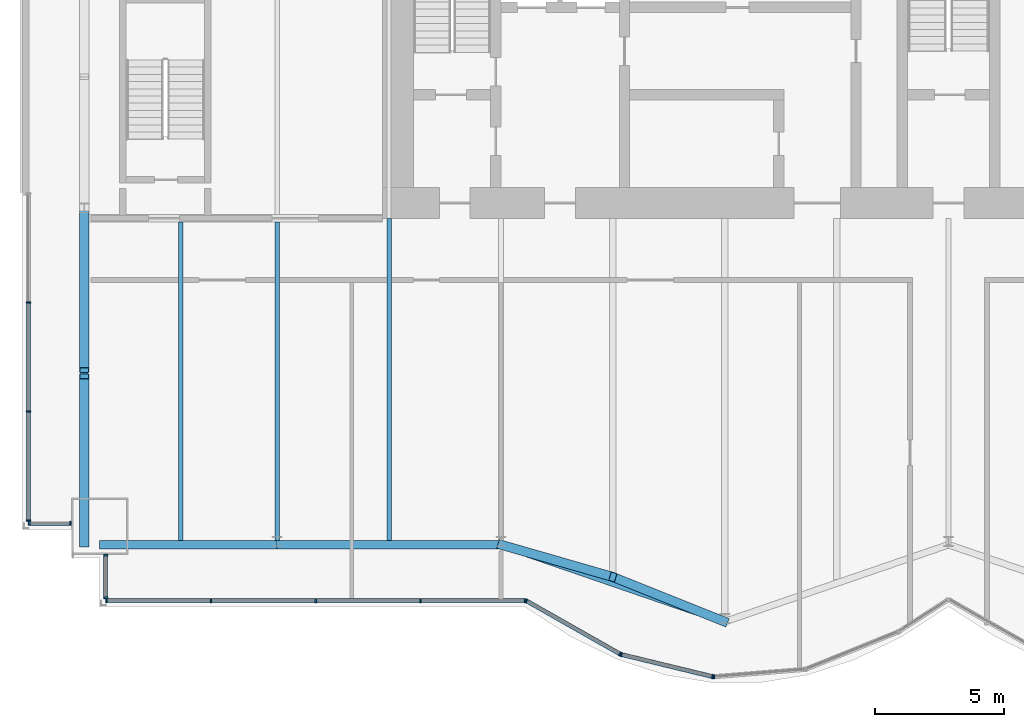
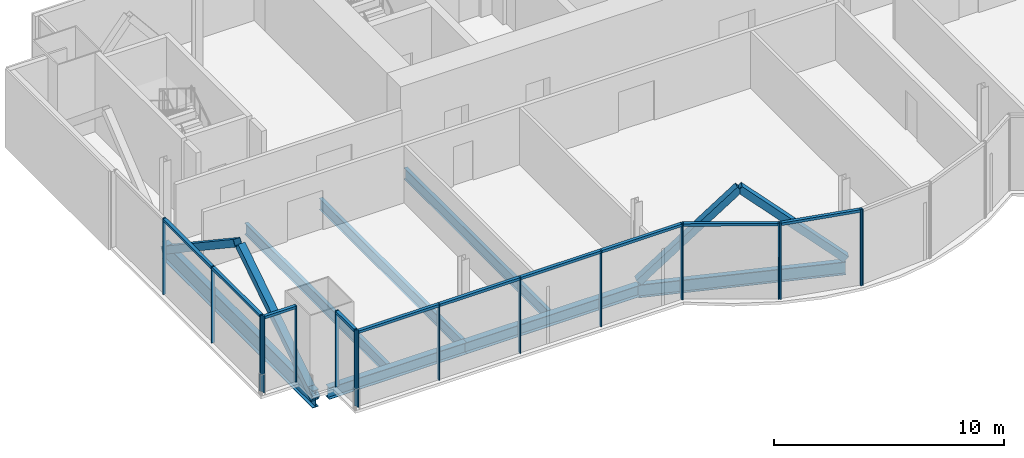
# One storey, part 5 of 19: 31 members, 7 beams, 5 elements without a shape of their own.
"""IFC4 building model written with IfcOpenShell, lengths in metres."""

from ifc_helpers import new_model, si_unit, direction, frame, origin, origin_2d, place, context, subcontext, project, spatial, rectangle, hollow_rectangle, i_section, extrude, material, material_profile, profile_set, type_object, element, aggregate, save


model = new_model("IFC4")

# Units and contexts
model_context = context("Model", 3, precision=1e-05, world=origin(), true_north=direction((0.0, 1.0)))
body_context = subcontext(model_context, "Body", "Model", "MODEL_VIEW")
ifc_project = project(units=[si_unit("LENGTHUNIT", "METRE"), si_unit("AREAUNIT", "SQUARE_METRE"), si_unit("VOLUMEUNIT", "CUBIC_METRE"), si_unit("PLANEANGLEUNIT", "RADIAN"), si_unit("MASSUNIT", "GRAM", prefix="KILO")], contexts=[model_context])

# Site, building, storey
site_placement = place(None, origin())
site = spatial("IfcSite", under=ifc_project, at=site_placement, CompositionType="ELEMENT")
building_placement = place(site_placement, origin())
building = spatial("IfcBuilding", under=site, at=building_placement, Name="Bicima Exchange Tower", CompositionType="ELEMENT")
storey_placement = place(building_placement, frame((0.0, 0.0, 279.199951171875)))
storey = spatial("IfcBuildingStorey", under=building, at=storey_placement, Name="L63", CompositionType="ELEMENT", Elevation=279.199951171875)

# Curtain wall, members
ifc_material_1 = material(Name="Anodised bronze aluminium", Category="aluminium")
curtain_wall_type_1 = type_object("IfcCurtainWallType", Name="End face glass wall", PredefinedType="NOTDEFINED", material=ifc_material_1)
curtain_wall_1_placement = place(storey_placement, origin())
curtain_wall_1 = element("IfcCurtainWall", 1, at=curtain_wall_1_placement, inside=storey, type_object=curtain_wall_type_1, Name="End face glass wall L63 run 2", PredefinedType="NOTDEFINED")
ifc_material_profile_1 = material_profile(ifc_material_1, rectangle(XDim=0.159912109375, YDim=0.06005859375, at=origin_2d()))
ifc_profile_set_1 = profile_set([ifc_material_profile_1], Name="Anodised bronze aluminium")
member_type_1 = type_object("IfcMemberType", Name="End face glass wall mullion 60 x 160", PredefinedType="MULLION", material=ifc_profile_set_1)
member_1_placement = place(storey_placement, frame((-35.77001953125, -16.270751953125, 0.0), z_axis=(0.0, 0.0, 1.0), x_axis=(1.0, 0.0, 0.0)))
member_1 = element("IfcMember", 2, at=member_1_placement, type_object=member_type_1, Name="End face glass wall mullion 2", PredefinedType="MULLION", context=body_context, shape_type="SweptSolid", body=[
    extrude(rectangle(XDim=0.159912109375, YDim=0.06005859375, at=origin_2d()), origin(), (0.0, 0.0, 1.0), 4.050048828125),
])
member_2_placement = place(storey_placement, frame((-35.77001953125, -20.51123046875, 0.0), z_axis=(0.0, 0.0, 1.0), x_axis=(1.0, 0.0, 0.0)))
member_2 = element("IfcMember", 3, at=member_2_placement, type_object=member_type_1, Name="End face glass wall mullion 3", PredefinedType="MULLION", context=body_context, shape_type="SweptSolid", body=[
    extrude(rectangle(XDim=0.159912109375, YDim=0.06005859375, at=origin_2d()), origin(), (0.0, 0.0, 1.0), 4.050048828125),
])
member_3_placement = place(storey_placement, frame((-35.77001953125, -24.751953125, 0.0), z_axis=(0.0, 0.0, 1.0), x_axis=(1.0, 0.0, 0.0)))
member_3 = element("IfcMember", 4, at=member_3_placement, type_object=member_type_1, Name="End face glass wall mullion 4", PredefinedType="MULLION", context=body_context, shape_type="SweptSolid", body=[
    extrude(rectangle(XDim=0.159912109375, YDim=0.06005859375, at=origin_2d()), origin(), (0.0, 0.0, 1.0), 4.050048828125),
])
ifc_material_profile_2 = material_profile(ifc_material_1, rectangle(XDim=0.159912109375, YDim=0.139892578125, at=origin_2d()))
ifc_profile_set_2 = profile_set([ifc_material_profile_2], Name="Anodised bronze aluminium")
member_type_2 = type_object("IfcMemberType", Name="End face glass wall transom 140 x 160", PredefinedType="USERDEFINED", material=ifc_profile_set_2)
member_4_placement = place(storey_placement, frame((-35.77001953125, -16.30078125, 3.97998046875), z_axis=(0.0, -1.0, 0.0), x_axis=(1.0, 0.0, 0.0)))
member_4 = element("IfcMember", 5, at=member_4_placement, type_object=member_type_2, Name="End face glass wall transom 2.1", ObjectType="TRANSOM", PredefinedType="USERDEFINED", context=body_context, shape_type="SweptSolid", body=[
    extrude(rectangle(XDim=0.159912109375, YDim=0.139892578125, at=origin_2d()), origin(), (0.0, 0.0, 1.0), 4.180419921875),
])
member_5_placement = place(storey_placement, frame((-35.77001953125, -20.541259765625, 3.97998046875), z_axis=(0.0, -1.0, 0.0), x_axis=(1.0, 0.0, 0.0)))
member_5 = element("IfcMember", 6, at=member_5_placement, type_object=member_type_2, Name="End face glass wall transom 3.1", ObjectType="TRANSOM", PredefinedType="USERDEFINED", context=body_context, shape_type="SweptSolid", body=[
    extrude(rectangle(XDim=0.159912109375, YDim=0.139892578125, at=origin_2d()), origin(), (0.0, 0.0, 1.0), 4.1806640625),
])
aggregate(curtain_wall_1, [member_1, member_2, member_3, member_4, member_5])

# Beams
ifc_material_2 = material(Name="Steel ASTM A992 Gr 50", Category="steel")
ifc_material_profile_3 = material_profile(ifc_material_2, i_section(OverallWidth=0.3046875, OverallDepth=0.911865234375, WebThickness=0.015869140625, FlangeThickness=0.02392578125, at=origin_2d()))
ifc_profile_set_3 = profile_set([ifc_material_profile_3], Name="Steel ASTM A992 Gr 50")
beam_type_1 = type_object("IfcBeamType", Name="End girder W36x150", PredefinedType="BEAM", material=ifc_profile_set_3)
beam_1_placement = place(storey_placement, frame((-33.60009765625, -12.60009765625, -0.60595703125), z_axis=(0.0, -1.0, 0.0), x_axis=(1.0, 0.0, 0.0)))
element("IfcBeam", 7, at=beam_1_placement, inside=storey, type_object=beam_type_1, Name="End girder", PredefinedType="BEAM", context=body_context, shape_type="SweptSolid", body=[
    extrude(i_section(OverallWidth=0.3046875, OverallDepth=0.911865234375, WebThickness=0.015869140625, FlangeThickness=0.02392578125, at=origin_2d()), origin(), (0.0, 0.0, 1.0), 13.091796875),
])
ifc_material_profile_4 = material_profile(ifc_material_2, i_section(OverallWidth=0.177978515625, OverallDepth=0.599365234375, WebThickness=0.010009765625, FlangeThickness=0.012939453125, at=origin_2d()))
ifc_profile_set_4 = profile_set([ifc_material_profile_4], Name="Steel ASTM A992 Gr 50")
beam_type_2 = type_object("IfcBeamType", Name="Floor beam W24x55", PredefinedType="JOIST", material=ifc_profile_set_4)
for number, where, z_axis, x_axis, name in (
    (8, (-29.85009765625, -13.15234375, -0.44970703125), (0.0, -1.0, 0.0), (1.0, 0.0, 0.0), "Floor beam"),
    (9, (-26.10009765625, -13.15234375, -0.44970703125), (0.0, -1.0, 0.0), (1.0, 0.0, 0.0), "Floor beam"),
):
    element("IfcBeam", number, at=place(storey_placement, frame(where, z_axis=z_axis, x_axis=x_axis)), inside=storey, type_object=beam_type_2, Name=name, PredefinedType="JOIST", context=body_context, shape_type="SweptSolid", body=[
        extrude(i_section(OverallWidth=0.177978515625, OverallDepth=0.599365234375, WebThickness=0.010009765625, FlangeThickness=0.012939453125, at=origin_2d()), origin(), (0.0, 0.0, 1.0), 12.376953125),
    ])
beam_2_placement = place(storey_placement, frame((-21.75, -13.0, -0.44970703125), z_axis=(0.0, -1.0, 0.0), x_axis=(1.0, 0.0, 0.0)))
element("IfcBeam", 10, at=beam_2_placement, inside=storey, type_object=beam_type_2, Name="Floor beam", PredefinedType="JOIST", context=body_context, shape_type="SweptSolid", body=[
    extrude(i_section(OverallWidth=0.177978515625, OverallDepth=0.599365234375, WebThickness=0.010009765625, FlangeThickness=0.012939453125, at=origin_2d()), origin(), (0.0, 0.0, 1.0), 12.529296875),
])
ifc_material_profile_5 = material_profile(ifc_material_2, i_section(OverallWidth=0.3251953125, OverallDepth=0.612060546875, WebThickness=0.0126953125, FlangeThickness=0.01904296875, at=origin_2d()))
ifc_profile_set_5 = profile_set([ifc_material_profile_5], Name="Steel ASTM A992 Gr 50")
beam_type_3 = type_object("IfcBeamType", Name="Front girder W24x104", PredefinedType="BEAM", material=ifc_profile_set_5)
beam_3_placement = place(storey_placement, frame((-33.0, -25.69189453125, -0.4560546875), z_axis=(1.0, 0.0, 0.0), x_axis=(0.0, 1.0, 0.0)))
element("IfcBeam", 11, at=beam_3_placement, inside=storey, type_object=beam_type_3, Name="Front girder", PredefinedType="BEAM", context=body_context, shape_type="SweptSolid", body=[
    extrude(i_section(OverallWidth=0.3251953125, OverallDepth=0.612060546875, WebThickness=0.0126953125, FlangeThickness=0.01904296875, at=origin_2d()), origin(), (0.0, 0.0, 1.0), 6.89990234375),
])
beam_4_placement = place(storey_placement, frame((-26.10009765625, -25.69189453125, -0.4560546875), z_axis=(1.0, 0.0, 0.0), x_axis=(0.0, 1.0, 0.0)))
element("IfcBeam", 12, at=beam_4_placement, inside=storey, type_object=beam_type_3, Name="Front girder", PredefinedType="BEAM", context=body_context, shape_type="SweptSolid", body=[
    extrude(i_section(OverallWidth=0.3251953125, OverallDepth=0.612060546875, WebThickness=0.0126953125, FlangeThickness=0.01904296875, at=origin_2d()), origin(), (0.0, 0.0, 1.0), 8.7001953125),
])
ifc_material_profile_6 = material_profile(ifc_material_2, i_section(OverallWidth=0.256591796875, OverallDepth=0.693359375, WebThickness=0.014404296875, FlangeThickness=0.023681640625, at=origin_2d()))
ifc_profile_set_6 = profile_set([ifc_material_profile_6], Name="Steel ASTM A992 Gr 50")
beam_type_4 = type_object("IfcBeamType", Name="Front girder W27x114", PredefinedType="BEAM", material=ifc_profile_set_6)
beam_5_placement = place(storey_placement, frame((-17.39990234375, -25.69189453125, -0.49658203125), z_axis=(0.945666456746, -0.325138359143, 0.0), x_axis=(0.325138359143, 0.945666456746, 0.0)))
element("IfcBeam", 13, at=beam_5_placement, inside=storey, type_object=beam_type_4, Name="Front girder", PredefinedType="BEAM", context=body_context, shape_type="SweptSolid", body=[
    extrude(i_section(OverallWidth=0.256591796875, OverallDepth=0.693359375, WebThickness=0.014404296875, FlangeThickness=0.023681640625, at=origin_2d()), origin(), (0.0, 0.0, 1.0), 9.19970703125),
])

# Curtain wall, members
curtain_wall_type_2 = type_object("IfcCurtainWallType", Name="Front glass wall", PredefinedType="NOTDEFINED", material=ifc_material_1)
curtain_wall_2_placement = place(storey_placement, origin())
curtain_wall_2 = element("IfcCurtainWall", 14, at=curtain_wall_2_placement, inside=storey, type_object=curtain_wall_type_2, Name="Front glass wall L63 run 3", PredefinedType="NOTDEFINED")
member_type_3 = type_object("IfcMemberType", Name="Front glass wall mullion 60 x 160", PredefinedType="MULLION", material=ifc_profile_set_1)
member_6_placement = place(storey_placement, frame((-35.739990234375, -24.862060546875, 0.0), z_axis=(0.0, 0.0, 1.0), x_axis=(0.0, 1.0, 0.0)))
member_6 = element("IfcMember", 15, at=member_6_placement, type_object=member_type_3, Name="Front glass wall mullion 1", PredefinedType="MULLION", context=body_context, shape_type="SweptSolid", body=[
    extrude(rectangle(XDim=0.159912109375, YDim=0.06005859375, at=origin_2d()), origin(), (0.0, 0.0, 1.0), 4.050048828125),
])
member_7_placement = place(storey_placement, frame((-34.1298828125, -24.862060546875, 0.0), z_axis=(0.0, 0.0, 1.0), x_axis=(0.0, 1.0, 0.0)))
member_7 = element("IfcMember", 16, at=member_7_placement, type_object=member_type_3, Name="Front glass wall mullion 2", PredefinedType="MULLION", context=body_context, shape_type="SweptSolid", body=[
    extrude(rectangle(XDim=0.159912109375, YDim=0.06005859375, at=origin_2d()), origin(), (0.0, 0.0, 1.0), 4.050048828125),
])

curtain_wall_3_placement = place(storey_placement, origin())
curtain_wall_3 = element("IfcCurtainWall", 17, at=curtain_wall_3_placement, inside=storey, type_object=curtain_wall_type_2, Name="Front glass wall L63 run 4", PredefinedType="NOTDEFINED")
member_8_placement = place(storey_placement, frame((-32.77001953125, -26.10009765625, 0.0), z_axis=(0.0, 0.0, 1.0), x_axis=(1.0, 0.0, 0.0)))
member_8 = element("IfcMember", 18, at=member_8_placement, type_object=member_type_3, Name="Front glass wall mullion 1", PredefinedType="MULLION", context=body_context, shape_type="SweptSolid", body=[
    extrude(rectangle(XDim=0.159912109375, YDim=0.06005859375, at=origin_2d()), origin(), (0.0, 0.0, 1.0), 4.050048828125),
])
member_9_placement = place(storey_placement, frame((-32.77001953125, -27.751953125, 0.0), z_axis=(0.0, 0.0, 1.0), x_axis=(1.0, 0.0, 0.0)))
member_9 = element("IfcMember", 19, at=member_9_placement, type_object=member_type_3, Name="Front glass wall mullion 2", PredefinedType="MULLION", context=body_context, shape_type="SweptSolid", body=[
    extrude(rectangle(XDim=0.159912109375, YDim=0.06005859375, at=origin_2d()), origin(), (0.0, 0.0, 1.0), 4.050048828125),
])

curtain_wall_4_placement = place(storey_placement, origin())
curtain_wall_4 = element("IfcCurtainWall", 20, at=curtain_wall_4_placement, inside=storey, type_object=curtain_wall_type_2, Name="Front glass wall L63 run 5", PredefinedType="NOTDEFINED")
member_10_placement = place(storey_placement, frame((-32.739990234375, -27.862060546875, 0.0), z_axis=(0.0, 0.0, 1.0), x_axis=(0.0, 1.0, 0.0)))
member_10 = element("IfcMember", 21, at=member_10_placement, type_object=member_type_3, Name="Front glass wall mullion 1", PredefinedType="MULLION", context=body_context, shape_type="SweptSolid", body=[
    extrude(rectangle(XDim=0.159912109375, YDim=0.06005859375, at=origin_2d()), origin(), (0.0, 0.0, 1.0), 4.050048828125),
])
member_11_placement = place(storey_placement, frame((-28.67041015625, -27.862060546875, 0.0), z_axis=(0.0, 0.0, 1.0), x_axis=(0.0, 1.0, 0.0)))
member_11 = element("IfcMember", 22, at=member_11_placement, type_object=member_type_3, Name="Front glass wall mullion 2", PredefinedType="MULLION", context=body_context, shape_type="SweptSolid", body=[
    extrude(rectangle(XDim=0.159912109375, YDim=0.06005859375, at=origin_2d()), origin(), (0.0, 0.0, 1.0), 4.050048828125),
])
member_12_placement = place(storey_placement, frame((-24.60107421875, -27.862060546875, 0.0), z_axis=(0.0, 0.0, 1.0), x_axis=(0.0, 1.0, 0.0)))
member_12 = element("IfcMember", 23, at=member_12_placement, type_object=member_type_3, Name="Front glass wall mullion 3", PredefinedType="MULLION", context=body_context, shape_type="SweptSolid", body=[
    extrude(rectangle(XDim=0.159912109375, YDim=0.06005859375, at=origin_2d()), origin(), (0.0, 0.0, 1.0), 4.050048828125),
])
member_13_placement = place(storey_placement, frame((-20.531494140625, -27.862060546875, 0.0), z_axis=(0.0, 0.0, 1.0), x_axis=(0.0, 1.0, 0.0)))
member_13 = element("IfcMember", 24, at=member_13_placement, type_object=member_type_3, Name="Front glass wall mullion 4", PredefinedType="MULLION", context=body_context, shape_type="SweptSolid", body=[
    extrude(rectangle(XDim=0.159912109375, YDim=0.06005859375, at=origin_2d()), origin(), (0.0, 0.0, 1.0), 4.050048828125),
])
member_14_placement = place(storey_placement, frame((-16.462158203125, -27.862060546875, 0.0), z_axis=(0.0, 0.0, 1.0), x_axis=(0.0, 1.0, 0.0)))
member_14 = element("IfcMember", 25, at=member_14_placement, type_object=member_type_3, Name="Front glass wall mullion 5", PredefinedType="MULLION", context=body_context, shape_type="SweptSolid", body=[
    extrude(rectangle(XDim=0.159912109375, YDim=0.06005859375, at=origin_2d()), origin(), (0.0, 0.0, 1.0), 4.050048828125),
])

curtain_wall_5_placement = place(storey_placement, origin())
curtain_wall_5 = element("IfcCurtainWall", 26, at=curtain_wall_5_placement, inside=storey, type_object=curtain_wall_type_2, Name="Front glass wall L63 run 6", PredefinedType="NOTDEFINED")
member_15_placement = place(storey_placement, frame((-16.406005859375, -27.876708984375, 0.0), z_axis=(0.0, 0.0, 1.0), x_axis=(0.493395449343, 0.869805110681, 0.0)))
member_15 = element("IfcMember", 27, at=member_15_placement, type_object=member_type_3, Name="Front glass wall mullion 1", PredefinedType="MULLION", context=body_context, shape_type="SweptSolid", body=[
    extrude(rectangle(XDim=0.159912109375, YDim=0.06005859375, at=origin_2d()), origin(), (0.0, 0.0, 1.0), 4.050048828125),
])
member_16_placement = place(storey_placement, frame((-12.7734375, -29.9375, 0.0), z_axis=(0.0, 0.0, 1.0), x_axis=(0.493395449343, 0.869805110681, 0.0)))
member_16 = element("IfcMember", 28, at=member_16_placement, type_object=member_type_3, Name="Front glass wall mullion 2", PredefinedType="MULLION", context=body_context, shape_type="SweptSolid", body=[
    extrude(rectangle(XDim=0.159912109375, YDim=0.06005859375, at=origin_2d()), origin(), (0.0, 0.0, 1.0), 4.050048828125),
])
member_17_placement = place(storey_placement, frame((-12.718017578125, -29.959228515625, 0.0), z_axis=(0.0, 0.0, 1.0), x_axis=(0.235681529503, 0.971830343553, 0.0)))
member_17 = element("IfcMember", 29, at=member_17_placement, type_object=member_type_3, Name="Front glass wall mullion 1", PredefinedType="MULLION", context=body_context, shape_type="SweptSolid", body=[
    extrude(rectangle(XDim=0.159912109375, YDim=0.06005859375, at=origin_2d()), origin(), (0.0, 0.0, 1.0), 4.050048828125),
])
member_18_placement = place(storey_placement, frame((-9.177490234375, -30.81787109375, 0.0), z_axis=(0.0, 0.0, 1.0), x_axis=(0.235681529503, 0.971830343553, 0.0)))
member_18 = element("IfcMember", 30, at=member_18_placement, type_object=member_type_3, Name="Front glass wall mullion 2", PredefinedType="MULLION", context=body_context, shape_type="SweptSolid", body=[
    extrude(rectangle(XDim=0.159912109375, YDim=0.06005859375, at=origin_2d()), origin(), (0.0, 0.0, 1.0), 4.050048828125),
])
member_19_placement = place(storey_placement, frame((-9.118408203125, -30.822509765625, 0.0), z_axis=(0.0, 0.0, 1.0), x_axis=(-0.080588612633, 0.99674744821, 0.0)))
member_19 = element("IfcMember", 31, at=member_19_placement, type_object=member_type_3, Name="Front glass wall mullion 1", PredefinedType="MULLION", context=body_context, shape_type="SweptSolid", body=[
    extrude(rectangle(XDim=0.159912109375, YDim=0.06005859375, at=origin_2d()), origin(), (0.0, 0.0, 1.0), 4.050048828125),
])

# Member
member_type_4 = type_object("IfcMemberType", Name="Front glass wall transom 140 x 160", PredefinedType="USERDEFINED", material=ifc_profile_set_2)
member_20_placement = place(storey_placement, frame((-35.7099609375, -24.862060546875, 3.97998046875), z_axis=(1.0, 0.0, 0.0), x_axis=(0.0, 1.0, 0.0)))
member_20 = element("IfcMember", 32, at=member_20_placement, type_object=member_type_4, Name="Front glass wall transom 1.1", ObjectType="TRANSOM", PredefinedType="USERDEFINED", context=body_context, shape_type="SweptSolid", body=[
    extrude(rectangle(XDim=0.159912109375, YDim=0.139892578125, at=origin_2d()), origin(), (0.0, 0.0, 1.0), 1.550048828125),
])

aggregate(curtain_wall_2, [member_6, member_7, member_20])

member_21_placement = place(storey_placement, frame((-32.77001953125, -26.1298828125, 3.97998046875), z_axis=(0.0, -1.0, 0.0), x_axis=(1.0, 0.0, 0.0)))
member_21 = element("IfcMember", 33, at=member_21_placement, type_object=member_type_4, Name="Front glass wall transom 1.1", ObjectType="TRANSOM", PredefinedType="USERDEFINED", context=body_context, shape_type="SweptSolid", body=[
    extrude(rectangle(XDim=0.159912109375, YDim=0.139892578125, at=origin_2d()), origin(), (0.0, 0.0, 1.0), 1.592041015625),
])

aggregate(curtain_wall_3, [member_8, member_9, member_21])

member_22_placement = place(storey_placement, frame((-32.7099609375, -27.862060546875, 3.97998046875), z_axis=(1.0, 0.0, 0.0), x_axis=(0.0, 1.0, 0.0)))
member_22 = element("IfcMember", 34, at=member_22_placement, type_object=member_type_4, Name="Front glass wall transom 1.1", ObjectType="TRANSOM", PredefinedType="USERDEFINED", context=body_context, shape_type="SweptSolid", body=[
    extrude(rectangle(XDim=0.159912109375, YDim=0.139892578125, at=origin_2d()), origin(), (0.0, 0.0, 1.0), 4.009521484375),
])

member_23_placement = place(storey_placement, frame((-28.640380859375, -27.862060546875, 3.97998046875), z_axis=(1.0, 0.0, 0.0), x_axis=(0.0, 1.0, 0.0)))
member_23 = element("IfcMember", 35, at=member_23_placement, type_object=member_type_4, Name="Front glass wall transom 2.1", ObjectType="TRANSOM", PredefinedType="USERDEFINED", context=body_context, shape_type="SweptSolid", body=[
    extrude(rectangle(XDim=0.159912109375, YDim=0.139892578125, at=origin_2d()), origin(), (0.0, 0.0, 1.0), 4.00927734375),
])

member_24_placement = place(storey_placement, frame((-24.571044921875, -27.862060546875, 3.97998046875), z_axis=(1.0, 0.0, 0.0), x_axis=(0.0, 1.0, 0.0)))
member_24 = element("IfcMember", 36, at=member_24_placement, type_object=member_type_4, Name="Front glass wall transom 3.1", ObjectType="TRANSOM", PredefinedType="USERDEFINED", context=body_context, shape_type="SweptSolid", body=[
    extrude(rectangle(XDim=0.159912109375, YDim=0.139892578125, at=origin_2d()), origin(), (0.0, 0.0, 1.0), 4.009521484375),
])

member_25_placement = place(storey_placement, frame((-20.501708984375, -27.862060546875, 3.97998046875), z_axis=(1.0, 0.0, 0.0), x_axis=(0.0, 1.0, 0.0)))
member_25 = element("IfcMember", 37, at=member_25_placement, type_object=member_type_4, Name="Front glass wall transom 4.1", ObjectType="TRANSOM", PredefinedType="USERDEFINED", context=body_context, shape_type="SweptSolid", body=[
    extrude(rectangle(XDim=0.159912109375, YDim=0.139892578125, at=origin_2d()), origin(), (0.0, 0.0, 1.0), 4.009521484375),
])

aggregate(curtain_wall_4, [member_10, member_11, member_12, member_13, member_14, member_22, member_23, member_24, member_25])

member_26_placement = place(storey_placement, frame((-16.3798828125, -27.8916015625, 3.97998046875), z_axis=(0.869797371721, -0.49340909208, 0.0), x_axis=(0.49340909208, 0.869797371721, 0.0)))
member_26 = element("IfcMember", 38, at=member_26_placement, type_object=member_type_4, Name="Front glass wall transom 1.1", ObjectType="TRANSOM", PredefinedType="USERDEFINED", context=body_context, shape_type="SweptSolid", body=[
    extrude(rectangle(XDim=0.159912109375, YDim=0.139892578125, at=origin_2d()), origin(), (0.0, 0.0, 1.0), 4.1162109375),
])

member_27_placement = place(storey_placement, frame((-12.68896484375, -29.96630859375, 3.97998046875), z_axis=(0.971833557815, -0.235668275132, 0.0), x_axis=(0.235668275132, 0.971833557815, 0.0)))
member_27 = element("IfcMember", 39, at=member_27_placement, type_object=member_type_4, Name="Front glass wall transom 1.1", ObjectType="TRANSOM", PredefinedType="USERDEFINED", context=body_context, shape_type="SweptSolid", body=[
    extrude(rectangle(XDim=0.159912109375, YDim=0.139892578125, at=origin_2d()), origin(), (0.0, 0.0, 1.0), 3.583251953125),
])

aggregate(curtain_wall_5, [member_15, member_16, member_26, member_17, member_18, member_27, member_19])

# Members
ifc_material_3 = material(Name="Steel ASTM A572 Gr 50", Category="steel")
ifc_material_profile_7 = material_profile(ifc_material_3, hollow_rectangle(XDim=0.355712890625, YDim=0.355712890625, WallThickness=0.0146484375, at=origin_2d()))
ifc_profile_set_7 = profile_set([ifc_material_profile_7], Name="Steel ASTM A572 Gr 50")
member_type_5 = type_object("IfcMemberType", Name="Mega brace HSS14x14x5/8", PredefinedType="BRACE", material=ifc_profile_set_7)
member_28_placement = place(storey_placement, frame((-17.39990234375, -25.69189453125, 0.0), z_axis=(0.704457747565, -0.202713973832, 0.680181098465), x_axis=(0.276537209588, 0.961003211084, 0.0)))
element("IfcMember", 40, at=member_28_placement, inside=storey, type_object=member_type_5, Name="Mega brace front", PredefinedType="BRACE", context=body_context, shape_type="SweptSolid", body=[
    extrude(hollow_rectangle(XDim=0.355712890625, YDim=0.355712890625, WallThickness=0.0146484375, at=origin_2d()), origin(), (0.0, 0.0, 1.0), 6.1748046875),
])
member_29_placement = place(storey_placement, frame((-8.699951171875, -28.68310546875, 0.0), z_axis=(-0.691373615884, 0.276464082005, 0.667510400384), x_axis=(-0.371291842786, -0.928516218211, 0.0)))
element("IfcMember", 41, at=member_29_placement, inside=storey, type_object=member_type_5, Name="Mega brace front", PredefinedType="BRACE", context=body_context, shape_type="SweptSolid", body=[
    extrude(hollow_rectangle(XDim=0.355712890625, YDim=0.355712890625, WallThickness=0.0146484375, at=origin_2d()), origin(), (0.0, 0.0, 1.0), 6.2919921875),
])
member_30_placement = place(storey_placement, frame((-33.60009765625, -12.60009765625, -0.60595703125), z_axis=(0.0, -0.832119720193, 0.554596043319), x_axis=(1.0, 0.0, 0.0)))
element("IfcMember", 42, at=member_30_placement, inside=storey, type_object=member_type_5, Name="Mega brace west end", PredefinedType="BRACE", context=body_context, shape_type="SweptSolid", body=[
    extrude(hollow_rectangle(XDim=0.355712890625, YDim=0.355712890625, WallThickness=0.0146484375, at=origin_2d()), origin(), (0.0, 0.0, 1.0), 7.573486328125),
])
member_31_placement = place(storey_placement, frame((-33.60009765625, -25.69189453125, -0.60595703125), z_axis=(0.0, 0.8416391665, 0.540040288694), x_axis=(-1.0, 0.0, 0.0)))
element("IfcMember", 43, at=member_31_placement, inside=storey, type_object=member_type_5, Name="Mega brace west end", PredefinedType="BRACE", context=body_context, shape_type="SweptSolid", body=[
    extrude(hollow_rectangle(XDim=0.355712890625, YDim=0.355712890625, WallThickness=0.0146484375, at=origin_2d()), origin(), (0.0, 0.0, 1.0), 7.777587890625),
])

save(model, "model.ifc")
